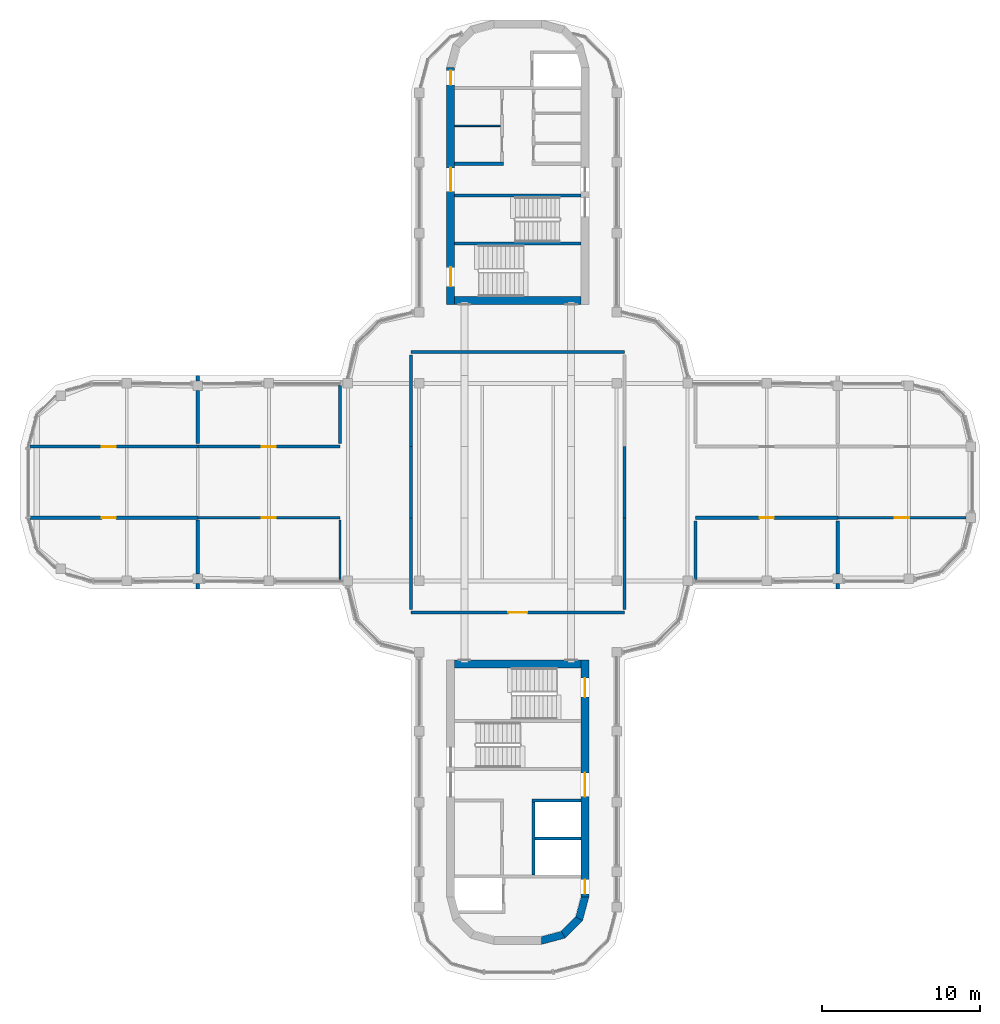
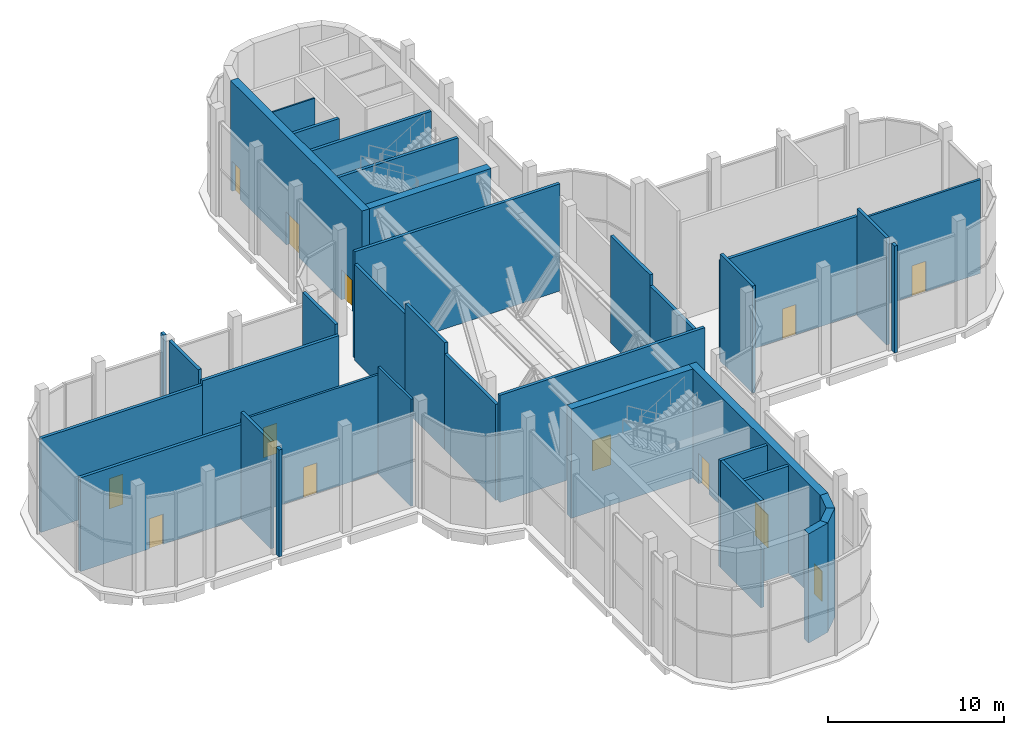
# One storey, part 11 of 15: 36 walls, 13 doors, 13 openings.
"""IFC4 building model written with IfcOpenShell, lengths in metres."""

from ifc_helpers import new_model, si_unit, direction, frame, frame_2d, origin, place, context, subcontext, project, spatial, polyline, rectangle, outline, extrude, material, layer, layer_set, type_object, element, fill, save


model = new_model("IFC4")

# Units and contexts
model_context = context("Model", 3, precision=1e-05, world=origin(), true_north=direction((0.0, 1.0)))
body_context = subcontext(model_context, "Body", "Model", "MODEL_VIEW")
ifc_project = project(units=[si_unit("LENGTHUNIT", "METRE"), si_unit("AREAUNIT", "SQUARE_METRE"), si_unit("VOLUMEUNIT", "CUBIC_METRE"), si_unit("PLANEANGLEUNIT", "RADIAN"), si_unit("MASSUNIT", "GRAM", prefix="KILO")], contexts=[model_context])

# Site, building, storey
site_placement = place(None, origin())
site = spatial("IfcSite", under=ifc_project, at=site_placement, CompositionType="ELEMENT")
building_placement = place(site_placement, origin())
building = spatial("IfcBuilding", under=site, at=building_placement, Name="Zarbagh Exchange Tower", CompositionType="ELEMENT")
storey_placement = place(building_placement, frame((0.0, 0.0, 284.0)))
storey = spatial("IfcBuildingStorey", under=building, at=storey_placement, Name="L70", CompositionType="ELEMENT", Elevation=284.0)

# Wall, opening, door
ifc_material_1 = material(Name="Plasterboard partition")
ifc_layer_1 = layer(ifc_material_1, 0.14990234375)
ifc_layer_set_1 = layer_set([ifc_layer_1], Name="Board partition 150")
wall_type_1 = type_object("IfcWallType", Name="Board partition 150", PredefinedType="PARTITIONING", material=ifc_layer_set_1)
wall_1_placement = place(storey_placement, frame((28.3701171875, -2.25, 0.0), z_axis=(0.0, 0.0, 1.0), x_axis=(-1.0, 0.0, 0.0)))
wall_1 = element("IfcWall", 1, at=wall_1_placement, inside=storey, type_object=wall_type_1, Name="WL-L70-W012", PredefinedType="PARTITIONING", context=body_context, shape_type="SweptSolid", body=[
    extrude(rectangle(XDim=8.1201171875, YDim=0.14990234375, at=frame_2d((4.06005859375, 0.0))), origin(), (0.0, 0.0, 1.0), 6.530029296875),
])
opening_1_placement = place(wall_1_placement, frame((3.610107421875, 0.0, 0.0)))
opening_1 = element("IfcOpeningElement", 2, at=opening_1_placement, cuts=wall_1, Name="Opening D41", PredefinedType="OPENING", context=body_context, shape_type="SweptSolid", body=[
    extrude(rectangle(XDim=0.89990234375, YDim=2.10009765625, at=frame_2d((0.449951171875, 1.050048828125))), frame((0.0, 0.0849609375, 0.0), z_axis=(0.0, -1.0, 0.0), x_axis=(1.0, 0.0, 0.0)), (0.0, 0.0, 1.0), 0.169921875),
])
ifc_material_2 = material(Name="Timber door leaf", Category="wood")
door_type_1 = type_object("IfcDoorType", Name="Door single 900x2100", OperationType="SINGLE_SWING_LEFT", PredefinedType="DOOR", material=ifc_material_2)
door_1_placement = place(opening_1_placement, origin())
door_1 = element("IfcDoor", 3, at=door_1_placement, inside=storey, type_object=door_type_1, Name="D05", OperationType="SINGLE_SWING_LEFT", OverallHeight=2.10009765625, OverallWidth=0.89990234375, PredefinedType="DOOR", context=body_context, shape_type="SweptSolid", body=[
    extrude(rectangle(XDim=0.89990234375, YDim=2.10009765625, at=frame_2d((0.449951171875, 1.050048828125))), frame((0.0, 0.02490234375, 0.0), z_axis=(0.0, -1.0, 0.0), x_axis=(1.0, 0.0, 0.0)), (0.0, 0.0, 1.0), 0.050048828125),
])
fill(opening_1, door_1)

wall_2_placement = place(storey_placement, frame((-11.25, -2.25, 0.0), z_axis=(0.0, 0.0, 1.0), x_axis=(-1.0, 0.0, 0.0)))
wall_2 = element("IfcWall", 4, at=wall_2_placement, inside=storey, type_object=wall_type_1, Name="WL-L70-W014", PredefinedType="PARTITIONING", context=body_context, shape_type="SweptSolid", body=[
    extrude(rectangle(XDim=9.0, YDim=0.14990234375, at=frame_2d((4.5, 0.0))), origin(), (0.0, 0.0, 1.0), 6.827880859375),
])
opening_2_placement = place(wall_2_placement, frame((4.050048828125, 0.0, 0.0)))
opening_2 = element("IfcOpeningElement", 5, at=opening_2_placement, cuts=wall_2, Name="Opening D07", PredefinedType="OPENING", context=body_context, shape_type="SweptSolid", body=[
    extrude(rectangle(XDim=0.89990234375, YDim=2.10009765625, at=frame_2d((0.449951171875, 1.050048828125))), frame((0.0, 0.0849609375, 0.0), z_axis=(0.0, -1.0, 0.0), x_axis=(1.0, 0.0, 0.0)), (0.0, 0.0, 1.0), 0.169921875),
])
door_2_placement = place(opening_2_placement, origin())
door_2 = element("IfcDoor", 6, at=door_2_placement, inside=storey, type_object=door_type_1, Name="D07", OperationType="SINGLE_SWING_LEFT", OverallHeight=2.10009765625, OverallWidth=0.89990234375, PredefinedType="DOOR", context=body_context, shape_type="SweptSolid", body=[
    extrude(rectangle(XDim=0.89990234375, YDim=2.10009765625, at=frame_2d((0.449951171875, 1.050048828125))), frame((0.0, 0.02490234375, 0.0), z_axis=(0.0, -1.0, 0.0), x_axis=(1.0, 0.0, 0.0)), (0.0, 0.0, 1.0), 0.050048828125),
])
fill(opening_2, door_2)

# Walls
wall_3_placement = place(storey_placement, frame((-11.25, -2.39990234375, 0.0), z_axis=(0.0, 0.0, 1.0), x_axis=(0.0, -1.0, 0.0)))
element("IfcWall", 7, at=wall_3_placement, inside=storey, type_object=wall_type_1, Name="WL-L70-W028", PredefinedType="PARTITIONING", context=body_context, shape_type="SweptSolid", body=[
    extrude(rectangle(XDim=3.75, YDim=0.14990234375, at=frame_2d((1.875, 0.0))), origin(), (0.0, 0.0, 1.0), 7.449951171875),
])
ifc_material_3 = material(Name="Dense blockwork", Category="masonry")
ifc_layer_2 = layer(ifc_material_3, 0.10009765625)
ifc_layer_set_2 = layer_set([ifc_layer_2], Name="Core partition 100 mm blockwork")
wall_type_2 = type_object("IfcWallType", Name="Core partition 100 mm blockwork", PredefinedType="PARTITIONING", material=ifc_layer_set_2)
wall_4_placement = place(storey_placement, frame((-4.0, 22.550048828125, 0.0), z_axis=(0.0, 0.0, 1.0), x_axis=(1.0, 0.0, 0.0)))
element("IfcWall", 8, at=wall_4_placement, inside=storey, type_object=wall_type_2, Name="North core partition wall CUT-W-580", PredefinedType="PARTITIONING", context=body_context, shape_type="SweptSolid", body=[
    extrude(rectangle(XDim=2.89990234375, YDim=0.10009765625, at=frame_2d((1.449951171875, 0.0))), origin(), (0.0, 0.0, 1.0), 7.449951171875),
])

# Wall, opening, door
ifc_material_4 = material(Name="Concrete block partition", Category="concrete")
ifc_layer_3 = layer(ifc_material_4, 0.199951171875)
ifc_layer_set_3 = layer_set([ifc_layer_3], Name="Fire-rated block partition 200 EI 60")
wall_type_3 = type_object("IfcWallType", Name="Fire-rated block partition 200 EI 60", PredefinedType="PARTITIONING", material=ifc_layer_set_3)
wall_5_placement = place(storey_placement, frame((-6.75, -8.25, 0.0), z_axis=(0.0, 0.0, 1.0), x_axis=(1.0, 0.0, 0.0)))
wall_5 = element("IfcWall", 9, at=wall_5_placement, inside=storey, type_object=wall_type_3, Name="WL-L70-W001", PredefinedType="PARTITIONING", context=body_context, shape_type="SweptSolid", body=[
    extrude(rectangle(XDim=13.5, YDim=0.199951171875, at=frame_2d((6.75, 0.0))), origin(), (0.0, 0.0, 1.0), 7.449951171875),
])
opening_3_placement = place(wall_5_placement, frame((6.14990234375, 0.0, 0.0)))
opening_3 = element("IfcOpeningElement", 10, at=opening_3_placement, cuts=wall_5, Name="Opening D31", PredefinedType="OPENING", context=body_context, shape_type="SweptSolid", body=[
    extrude(rectangle(XDim=1.199951171875, YDim=2.10009765625, at=frame_2d((0.60009765625, 1.050048828125))), frame((0.0, 0.10986328125, 0.0), z_axis=(0.0, -1.0, 0.0), x_axis=(1.0, 0.0, 0.0)), (0.0, 0.0, 1.0), 0.219970703125),
])
ifc_material_5 = material(Name="Steel door set", Category="steel")
door_type_2 = type_object("IfcDoorType", Name="Door single 1200x2100 EI 60", OperationType="SINGLE_SWING_LEFT", PredefinedType="DOOR", material=ifc_material_5)
door_3_placement = place(opening_3_placement, origin())
door_3 = element("IfcDoor", 11, at=door_3_placement, inside=storey, type_object=door_type_2, Name="D01", OperationType="SINGLE_SWING_LEFT", OverallHeight=2.10009765625, OverallWidth=1.199951171875, PredefinedType="DOOR", context=body_context, shape_type="SweptSolid", body=[
    extrude(rectangle(XDim=1.199951171875, YDim=2.10009765625, at=frame_2d((0.60009765625, 1.050048828125))), frame((0.0, 0.02490234375, 0.0), z_axis=(0.0, -1.0, 0.0), x_axis=(1.0, 0.0, 0.0)), (0.0, 0.0, 1.0), 0.050048828125),
])
fill(opening_3, door_3)

# Walls
wall_6_placement = place(storey_placement, frame((-6.75, 8.25, 0.0), z_axis=(0.0, 0.0, 1.0), x_axis=(1.0, 0.0, 0.0)))
element("IfcWall", 12, at=wall_6_placement, inside=storey, type_object=wall_type_3, Name="WL-L70-W002", PredefinedType="PARTITIONING", context=body_context, shape_type="SweptSolid", body=[
    extrude(rectangle(XDim=13.5, YDim=0.199951171875, at=frame_2d((6.75, 0.0))), origin(), (0.0, 0.0, 1.0), 7.449951171875),
])
for number, where, z_axis, x_axis, name in (
    (13, (6.75, 2.25, 0.0), (0.0, 0.0, 1.0), (0.0, -1.0, 0.0), "WL-L70-W003"),
    (14, (-6.75, -2.25, 0.0), (0.0, 0.0, 1.0), (0.0, 1.0, 0.0), "WL-L70-W004"),
):
    element("IfcWall", number, at=place(storey_placement, frame(where, z_axis=z_axis, x_axis=x_axis)), inside=storey, type_object=wall_type_3, Name=name, PredefinedType="PARTITIONING", context=body_context, shape_type="SweptSolid", body=[
        extrude(rectangle(XDim=4.5, YDim=0.199951171875, at=frame_2d((2.25, 0.0))), origin(), (0.0, 0.0, 1.0), 7.449951171875),
    ])
for number, where, z_axis, x_axis, name in (
    (15, (-6.75, -8.050048828125, 0.0), (0.0, 0.0, 1.0), (0.0, 1.0, 0.0), "WL-L70-W005"),
    (16, (6.75, -2.25, 0.0), (0.0, 0.0, 1.0), (0.0, -1.0, 0.0), "WL-L70-W006"),
    (17, (-6.75, 2.25, 0.0), (0.0, 0.0, 1.0), (0.0, 1.0, 0.0), "WL-L70-W007"),
):
    element("IfcWall", number, at=place(storey_placement, frame(where, z_axis=z_axis, x_axis=x_axis)), inside=storey, type_object=wall_type_3, Name=name, PredefinedType="PARTITIONING", context=body_context, shape_type="SweptSolid", body=[
        extrude(rectangle(XDim=5.800048828125, YDim=0.199951171875, at=frame_2d((2.89990234375, 0.0))), origin(), (0.0, 0.0, 1.0), 6.680908203125),
    ])

# Wall, opening, door
wall_7_placement = place(storey_placement, frame((20.25, -2.25, 0.0), z_axis=(0.0, 0.0, 1.0), x_axis=(-1.0, 0.0, 0.0)))
wall_7 = element("IfcWall", 18, at=wall_7_placement, inside=storey, type_object=wall_type_3, Name="WL-L70-W010", PredefinedType="PARTITIONING", context=body_context, shape_type="SweptSolid", body=[
    extrude(rectangle(XDim=9.0, YDim=0.199951171875, at=frame_2d((4.5, 0.0))), origin(), (0.0, 0.0, 1.0), 6.827880859375),
])
opening_4_placement = place(wall_7_placement, frame((4.050048828125, 0.0, 0.0)))
opening_4 = element("IfcOpeningElement", 19, at=opening_4_placement, cuts=wall_7, Name="Opening D03", PredefinedType="OPENING", context=body_context, shape_type="SweptSolid", body=[
    extrude(rectangle(XDim=0.89990234375, YDim=2.10009765625, at=frame_2d((0.449951171875, 1.050048828125))), frame((0.0, 0.10986328125, 0.0), z_axis=(0.0, -1.0, 0.0), x_axis=(1.0, 0.0, 0.0)), (0.0, 0.0, 1.0), 0.219970703125),
])
door_type_3 = type_object("IfcDoorType", Name="Door single 900x2100 EI 60", OperationType="SINGLE_SWING_LEFT", PredefinedType="DOOR", material=ifc_material_5)
door_4_placement = place(opening_4_placement, origin())
door_4 = element("IfcDoor", 20, at=door_4_placement, inside=storey, type_object=door_type_3, Name="D03", OperationType="SINGLE_SWING_LEFT", OverallHeight=2.10009765625, OverallWidth=0.89990234375, PredefinedType="DOOR", context=body_context, shape_type="SweptSolid", body=[
    extrude(rectangle(XDim=0.89990234375, YDim=2.10009765625, at=frame_2d((0.449951171875, 1.050048828125))), frame((0.0, 0.02490234375, 0.0), z_axis=(0.0, -1.0, 0.0), x_axis=(1.0, 0.0, 0.0)), (0.0, 0.0, 1.0), 0.050048828125),
])
fill(opening_4, door_4)

wall_8_placement = place(storey_placement, frame((-20.25, 2.25, 0.0), z_axis=(0.0, 0.0, 1.0), x_axis=(1.0, 0.0, 0.0)))
wall_8 = element("IfcWall", 21, at=wall_8_placement, inside=storey, type_object=wall_type_3, Name="WL-L70-W013", PredefinedType="PARTITIONING", context=body_context, shape_type="SweptSolid", body=[
    extrude(rectangle(XDim=9.0, YDim=0.199951171875, at=frame_2d((4.5, 0.0))), origin(), (0.0, 0.0, 1.0), 6.827880859375),
])
opening_5_placement = place(wall_8_placement, frame((4.050048828125, 0.0, 0.0)))
opening_5 = element("IfcOpeningElement", 22, at=opening_5_placement, cuts=wall_8, Name="Opening D06", PredefinedType="OPENING", context=body_context, shape_type="SweptSolid", body=[
    extrude(rectangle(XDim=0.89990234375, YDim=2.10009765625, at=frame_2d((0.449951171875, 1.050048828125))), frame((0.0, 0.10986328125, 0.0), z_axis=(0.0, -1.0, 0.0), x_axis=(1.0, 0.0, 0.0)), (0.0, 0.0, 1.0), 0.219970703125),
])
door_5_placement = place(opening_5_placement, origin())
door_5 = element("IfcDoor", 23, at=door_5_placement, inside=storey, type_object=door_type_3, Name="D06", OperationType="SINGLE_SWING_LEFT", OverallHeight=2.10009765625, OverallWidth=0.89990234375, PredefinedType="DOOR", context=body_context, shape_type="SweptSolid", body=[
    extrude(rectangle(XDim=0.89990234375, YDim=2.10009765625, at=frame_2d((0.449951171875, 1.050048828125))), frame((0.0, 0.02490234375, 0.0), z_axis=(0.0, -1.0, 0.0), x_axis=(1.0, 0.0, 0.0)), (0.0, 0.0, 1.0), 0.050048828125),
])
fill(opening_5, door_5)

wall_9_placement = place(storey_placement, frame((-30.8798828125, 2.25, 0.0), z_axis=(0.0, 0.0, 1.0), x_axis=(1.0, 0.0, 0.0)))
wall_9 = element("IfcWall", 24, at=wall_9_placement, inside=storey, type_object=wall_type_3, Name="WL-L70-W015", PredefinedType="PARTITIONING", context=body_context, shape_type="SweptSolid", body=[
    extrude(rectangle(XDim=10.6298828125, YDim=0.199951171875, at=frame_2d((5.31494140625, 0.0))), origin(), (0.0, 0.0, 1.0), 6.530029296875),
])
opening_6_placement = place(wall_9_placement, frame((4.554931640625, 0.0, 0.0)))
opening_6 = element("IfcOpeningElement", 25, at=opening_6_placement, cuts=wall_9, Name="Opening D08", PredefinedType="OPENING", context=body_context, shape_type="SweptSolid", body=[
    extrude(rectangle(XDim=0.89990234375, YDim=2.10009765625, at=frame_2d((0.449951171875, 1.050048828125))), frame((0.0, 0.10986328125, 0.0), z_axis=(0.0, -1.0, 0.0), x_axis=(1.0, 0.0, 0.0)), (0.0, 0.0, 1.0), 0.219970703125),
])
door_6_placement = place(opening_6_placement, origin())
door_6 = element("IfcDoor", 26, at=door_6_placement, inside=storey, type_object=door_type_3, Name="D08", OperationType="SINGLE_SWING_LEFT", OverallHeight=2.10009765625, OverallWidth=0.89990234375, PredefinedType="DOOR", context=body_context, shape_type="SweptSolid", body=[
    extrude(rectangle(XDim=0.89990234375, YDim=2.10009765625, at=frame_2d((0.449951171875, 1.050048828125))), frame((0.0, 0.02490234375, 0.0), z_axis=(0.0, -1.0, 0.0), x_axis=(1.0, 0.0, 0.0)), (0.0, 0.0, 1.0), 0.050048828125),
])
fill(opening_6, door_6)

wall_10_placement = place(storey_placement, frame((-20.25, -2.25, 0.0), z_axis=(0.0, 0.0, 1.0), x_axis=(-1.0, 0.0, 0.0)))
wall_10 = element("IfcWall", 27, at=wall_10_placement, inside=storey, type_object=wall_type_3, Name="WL-L70-W016", PredefinedType="PARTITIONING", context=body_context, shape_type="SweptSolid", body=[
    extrude(rectangle(XDim=10.6298828125, YDim=0.199951171875, at=frame_2d((5.31494140625, 0.0))), origin(), (0.0, 0.0, 1.0), 6.530029296875),
])
opening_7_placement = place(wall_10_placement, frame((5.175048828125, 0.0, 0.0)))
opening_7 = element("IfcOpeningElement", 28, at=opening_7_placement, cuts=wall_10, Name="Opening D52", PredefinedType="OPENING", context=body_context, shape_type="SweptSolid", body=[
    extrude(rectangle(XDim=0.89990234375, YDim=2.10009765625, at=frame_2d((0.449951171875, 1.050048828125))), frame((0.0, 0.10986328125, 0.0), z_axis=(0.0, -1.0, 0.0), x_axis=(1.0, 0.0, 0.0)), (0.0, 0.0, 1.0), 0.219970703125),
])
door_7_placement = place(opening_7_placement, origin())
door_7 = element("IfcDoor", 29, at=door_7_placement, inside=storey, type_object=door_type_3, Name="D09", OperationType="SINGLE_SWING_LEFT", OverallHeight=2.10009765625, OverallWidth=0.89990234375, PredefinedType="DOOR", context=body_context, shape_type="SweptSolid", body=[
    extrude(rectangle(XDim=0.89990234375, YDim=2.10009765625, at=frame_2d((0.449951171875, 1.050048828125))), frame((0.0, 0.02490234375, 0.0), z_axis=(0.0, -1.0, 0.0), x_axis=(1.0, 0.0, 0.0)), (0.0, 0.0, 1.0), 0.050048828125),
])
fill(opening_7, door_7)

# Walls
wall_11_placement = place(storey_placement, frame((20.25, -2.449951171875, 0.0), z_axis=(0.0, 0.0, 1.0), x_axis=(0.0, -1.0, 0.0)))
element("IfcWall", 30, at=wall_11_placement, inside=storey, type_object=wall_type_3, Name="WL-L70-W020", PredefinedType="PARTITIONING", context=body_context, shape_type="SweptSolid", body=[
    extrude(rectangle(XDim=3.360107421875, YDim=0.199951171875, at=frame_2d((1.68017578125, 0.0))), origin(), (0.0, 0.0, 1.0), 7.449951171875),
])
wall_12_placement = place(storey_placement, frame((20.25, -6.409912109375, 0.0), z_axis=(0.0, 0.0, 1.0), x_axis=(0.0, -1.0, 0.0)))
element("IfcWall", 31, at=wall_12_placement, inside=storey, type_object=wall_type_3, Name="WL-L70-W021", PredefinedType="PARTITIONING", context=body_context, shape_type="SweptSolid", body=[
    extrude(rectangle(XDim=0.340087890625, YDim=0.199951171875, at=frame_2d((0.169921875, 0.0))), origin(), (0.0, 0.0, 1.0), 7.449951171875),
])
wall_13_placement = place(storey_placement, frame((11.25, -6.14990234375, 0.0), z_axis=(0.0, 0.0, 1.0), x_axis=(0.0, 1.0, 0.0)))
element("IfcWall", 32, at=wall_13_placement, inside=storey, type_object=wall_type_3, Name="WL-L70-W022", PredefinedType="PARTITIONING", context=body_context, shape_type="SweptSolid", body=[
    extrude(rectangle(XDim=3.699951171875, YDim=0.199951171875, at=frame_2d((1.85009765625, 0.0))), origin(), (0.0, 0.0, 1.0), 7.449951171875),
])
wall_14_placement = place(storey_placement, frame((-20.25, 2.449951171875, 0.0), z_axis=(0.0, 0.0, 1.0), x_axis=(0.0, 1.0, 0.0)))
element("IfcWall", 33, at=wall_14_placement, inside=storey, type_object=wall_type_3, Name="WL-L70-W023", PredefinedType="PARTITIONING", context=body_context, shape_type="SweptSolid", body=[
    extrude(rectangle(XDim=3.360107421875, YDim=0.199951171875, at=frame_2d((1.68017578125, 0.0))), origin(), (0.0, 0.0, 1.0), 7.449951171875),
])
wall_15_placement = place(storey_placement, frame((-20.25, 6.409912109375, 0.0), z_axis=(0.0, 0.0, 1.0), x_axis=(0.0, 1.0, 0.0)))
element("IfcWall", 34, at=wall_15_placement, inside=storey, type_object=wall_type_3, Name="WL-L70-W024", PredefinedType="PARTITIONING", context=body_context, shape_type="SweptSolid", body=[
    extrude(rectangle(XDim=0.340087890625, YDim=0.199951171875, at=frame_2d((0.169921875, 0.0))), origin(), (0.0, 0.0, 1.0), 7.449951171875),
])
wall_16_placement = place(storey_placement, frame((-11.25, 6.14990234375, 0.0), z_axis=(0.0, 0.0, 1.0), x_axis=(0.0, -1.0, 0.0)))
element("IfcWall", 35, at=wall_16_placement, inside=storey, type_object=wall_type_3, Name="WL-L70-W025", PredefinedType="PARTITIONING", context=body_context, shape_type="SweptSolid", body=[
    extrude(rectangle(XDim=3.699951171875, YDim=0.199951171875, at=frame_2d((1.85009765625, 0.0))), origin(), (0.0, 0.0, 1.0), 7.449951171875),
])
wall_17_placement = place(storey_placement, frame((-20.25, -6.75, 0.0), z_axis=(0.0, 0.0, 1.0), x_axis=(0.0, 1.0, 0.0)))
element("IfcWall", 36, at=wall_17_placement, inside=storey, type_object=wall_type_3, Name="WL-L70-W026", PredefinedType="PARTITIONING", context=body_context, shape_type="SweptSolid", body=[
    extrude(rectangle(XDim=0.340087890625, YDim=0.199951171875, at=frame_2d((0.169921875, 0.0))), origin(), (0.0, 0.0, 1.0), 7.449951171875),
])
wall_18_placement = place(storey_placement, frame((-20.25, -5.81005859375, 0.0), z_axis=(0.0, 0.0, 1.0), x_axis=(0.0, 1.0, 0.0)))
element("IfcWall", 37, at=wall_18_placement, inside=storey, type_object=wall_type_3, Name="WL-L70-W027", PredefinedType="PARTITIONING", context=body_context, shape_type="SweptSolid", body=[
    extrude(rectangle(XDim=3.41015625, YDim=0.199951171875, at=frame_2d((1.705078125, 0.0))), origin(), (0.0, 0.0, 1.0), 7.449951171875),
])
ifc_material_6 = material(Name="Concrete C40/50", Category="concrete")
ifc_layer_4 = layer(ifc_material_6, 0.5)
ifc_layer_set_4 = layer_set([ifc_layer_4], Name="RC core corner wall 500 C40/50")
wall_type_4 = type_object("IfcWallType", Name="RC core corner wall 500 C40/50", PredefinedType="SHEAR", material=ifc_layer_set_4)
wall_19_placement = place(storey_placement, origin())
element("IfcWall", 38, at=wall_19_placement, inside=storey, type_object=wall_type_4, Name="CW10 core S corner E", PredefinedType="SHEAR", context=body_context, shape_type="SweptSolid", body=[
    extrude(outline(polyline([(4.5, -26.25), (4.09814453125, -27.75), (3.6650390625, -27.5), (4.0, -26.25), (4.5, -26.25)])), origin(), (0.0, 0.0, 1.0), 7.60009765625),
])
wall_20_placement = place(storey_placement, origin())
element("IfcWall", 39, at=wall_20_placement, inside=storey, type_object=wall_type_4, Name="CW10 core S corner E", PredefinedType="SHEAR", context=body_context, shape_type="SweptSolid", body=[
    extrude(outline(polyline([(4.09814453125, -27.75), (3.0, -28.84814453125), (2.75, -28.4150390625), (3.6650390625, -27.5), (4.09814453125, -27.75)])), origin(), (0.0, 0.0, 1.0), 7.60009765625),
])
wall_21_placement = place(storey_placement, origin())
element("IfcWall", 40, at=wall_21_placement, inside=storey, type_object=wall_type_4, Name="CW10 core S corner E", PredefinedType="SHEAR", context=body_context, shape_type="SweptSolid", body=[
    extrude(outline(polyline([(3.0, -28.84814453125), (1.5, -29.25), (1.5, -28.75), (2.75, -28.4150390625), (3.0, -28.84814453125)])), origin(), (0.0, 0.0, 1.0), 7.60009765625),
])

# Wall, openings, doors
ifc_layer_5 = layer(ifc_material_6, 0.5)
ifc_layer_set_5 = layer_set([ifc_layer_5], Name="RC core wall 500 C40/50")
wall_type_5 = type_object("IfcWallType", Name="RC core wall 500 C40/50", PredefinedType="SHEAR", material=ifc_layer_set_5)
wall_22_placement = place(storey_placement, frame((-4.25, 11.25, 0.0), z_axis=(0.0, 0.0, 1.0), x_axis=(0.0, 1.0, 0.0)))
wall_22 = element("IfcWall", 41, at=wall_22_placement, inside=storey, type_object=wall_type_5, Name="CW9 core N W", PredefinedType="SHEAR", context=body_context, shape_type="SweptSolid", body=[
    extrude(rectangle(XDim=15.0, YDim=0.5, at=frame_2d((7.5, 0.0))), origin(), (0.0, 0.0, 1.0), 7.60009765625),
])
opening_8_placement = place(wall_22_placement, frame((7.14990234375, 0.0, 0.0)))
opening_8 = element("IfcOpeningElement", 42, at=opening_8_placement, cuts=wall_22, Name="Opening CD1-1500", PredefinedType="OPENING", context=body_context, shape_type="SweptSolid", body=[
    extrude(rectangle(XDim=1.5, YDim=2.300048828125, at=frame_2d((0.75, 1.14990234375))), frame((0.0, 0.260009765625, 0.0), z_axis=(0.0, -1.0, 0.0), x_axis=(1.0, 0.0, 0.0)), (0.0, 0.0, 1.0), 0.52001953125),
])
opening_9_placement = place(wall_22_placement, frame((13.89990234375, 0.0, 0.0)))
opening_9 = element("IfcOpeningElement", 43, at=opening_9_placement, cuts=wall_22, Name="Opening CD2-900", PredefinedType="OPENING", context=body_context, shape_type="SweptSolid", body=[
    extrude(rectangle(XDim=0.89990234375, YDim=2.10009765625, at=frame_2d((0.449951171875, 1.050048828125))), frame((0.0, 0.260009765625, 0.0), z_axis=(0.0, -1.0, 0.0), x_axis=(1.0, 0.0, 0.0)), (0.0, 0.0, 1.0), 0.52001953125),
])
opening_10_placement = place(wall_22_placement, frame((1.14990234375, 0.0, 0.0)))
opening_10 = element("IfcOpeningElement", 44, at=opening_10_placement, cuts=wall_22, Name="Opening SD1-1200", PredefinedType="OPENING", context=body_context, shape_type="SweptSolid", body=[
    extrude(rectangle(XDim=1.199951171875, YDim=2.10009765625, at=frame_2d((0.60009765625, 1.050048828125))), frame((0.0, 0.260009765625, 0.0), z_axis=(0.0, -1.0, 0.0), x_axis=(1.0, 0.0, 0.0)), (0.0, 0.0, 1.0), 0.52001953125),
])
ifc_material_7 = material(Name="Steel", Category="steel")
door_type_4 = type_object("IfcDoorType", Name="Exit stair door 1200 x 2100", OperationType="NOTDEFINED", PredefinedType="DOOR", material=ifc_material_7)
door_8_placement = place(opening_10_placement, origin())
door_8 = element("IfcDoor", 45, at=door_8_placement, inside=storey, type_object=door_type_4, Name="North core stair door ST2", OperationType="SINGLE_SWING_LEFT", OverallHeight=2.10009765625, OverallWidth=1.199951171875, PredefinedType="DOOR", context=body_context, shape_type="SweptSolid", body=[
    extrude(rectangle(XDim=1.199951171875, YDim=2.10009765625, at=frame_2d((0.60009765625, 1.050048828125))), frame((0.0, 0.02490234375, 0.0), z_axis=(0.0, -1.0, 0.0), x_axis=(1.0, 0.0, 0.0)), (0.0, 0.0, 1.0), 0.050048828125),
])
fill(opening_10, door_8)
door_type_5 = type_object("IfcDoorType", Name="Firefighting lobby door 900 x 2100", OperationType="NOTDEFINED", PredefinedType="DOOR", material=ifc_material_7)
door_9_placement = place(opening_9_placement, origin())
door_9 = element("IfcDoor", 46, at=door_9_placement, inside=storey, type_object=door_type_5, Name="North core firefighting lobby door FF-W", OperationType="SINGLE_SWING_RIGHT", OverallHeight=2.10009765625, OverallWidth=0.89990234375, PredefinedType="DOOR", context=body_context, shape_type="SweptSolid", body=[
    extrude(rectangle(XDim=0.89990234375, YDim=2.10009765625, at=frame_2d((0.449951171875, 1.050048828125))), frame((0.0, 0.02490234375, 0.0), z_axis=(0.0, -1.0, 0.0), x_axis=(1.0, 0.0, 0.0)), (0.0, 0.0, 1.0), 0.050048828125),
])
fill(opening_9, door_9)
door_type_6 = type_object("IfcDoorType", Name="Lift lobby double door 1500 x 2300", OperationType="NOTDEFINED", PredefinedType="DOOR", material=ifc_material_7)
door_10_placement = place(opening_8_placement, origin())
door_10 = element("IfcDoor", 47, at=door_10_placement, inside=storey, type_object=door_type_6, Name="North core lift lobby door LOBBY-W", OperationType="DOUBLE_DOOR_SINGLE_SWING", OverallHeight=2.300048828125, OverallWidth=1.5, PredefinedType="DOOR", context=body_context, shape_type="SweptSolid", body=[
    extrude(rectangle(XDim=1.5, YDim=2.300048828125, at=frame_2d((0.75, 1.14990234375))), frame((0.0, 0.02490234375, 0.0), z_axis=(0.0, -1.0, 0.0), x_axis=(1.0, 0.0, 0.0)), (0.0, 0.0, 1.0), 0.050048828125),
])
fill(opening_8, door_10)

# Wall
wall_23_placement = place(storey_placement, frame((-4.0, 11.5, 0.0), z_axis=(0.0, 0.0, 1.0), x_axis=(1.0, 0.0, 0.0)))
element("IfcWall", 48, at=wall_23_placement, inside=storey, type_object=wall_type_5, Name="CW9 core N inner end", PredefinedType="SHEAR", context=body_context, shape_type="SweptSolid", body=[
    extrude(rectangle(XDim=8.0, YDim=0.5, at=frame_2d((4.0, 0.0))), origin(), (0.0, 0.0, 1.0), 7.60009765625),
])

# Wall, openings, doors
wall_24_placement = place(storey_placement, frame((4.25, -11.25, 0.0), z_axis=(0.0, 0.0, 1.0), x_axis=(0.0, -1.0, 0.0)))
wall_24 = element("IfcWall", 49, at=wall_24_placement, inside=storey, type_object=wall_type_5, Name="CW9 core S E", PredefinedType="SHEAR", context=body_context, shape_type="SweptSolid", body=[
    extrude(rectangle(XDim=15.0, YDim=0.5, at=frame_2d((7.5, 0.0))), origin(), (0.0, 0.0, 1.0), 7.60009765625),
])
opening_11_placement = place(wall_24_placement, frame((7.14990234375, 0.0, 0.0)))
opening_11 = element("IfcOpeningElement", 50, at=opening_11_placement, cuts=wall_24, Name="Opening CD1-1500", PredefinedType="OPENING", context=body_context, shape_type="SweptSolid", body=[
    extrude(rectangle(XDim=1.5, YDim=2.300048828125, at=frame_2d((0.75, 1.14990234375))), frame((0.0, 0.260009765625, 0.0), z_axis=(0.0, -1.0, 0.0), x_axis=(1.0, 0.0, 0.0)), (0.0, 0.0, 1.0), 0.52001953125),
])
opening_12_placement = place(wall_24_placement, frame((13.89990234375, 0.0, 0.0)))
opening_12 = element("IfcOpeningElement", 51, at=opening_12_placement, cuts=wall_24, Name="Opening CD2-900", PredefinedType="OPENING", context=body_context, shape_type="SweptSolid", body=[
    extrude(rectangle(XDim=0.89990234375, YDim=2.10009765625, at=frame_2d((0.449951171875, 1.050048828125))), frame((0.0, 0.260009765625, 0.0), z_axis=(0.0, -1.0, 0.0), x_axis=(1.0, 0.0, 0.0)), (0.0, 0.0, 1.0), 0.52001953125),
])
opening_13_placement = place(wall_24_placement, frame((1.14990234375, 0.0, 0.0)))
opening_13 = element("IfcOpeningElement", 52, at=opening_13_placement, cuts=wall_24, Name="Opening SD1-1200", PredefinedType="OPENING", context=body_context, shape_type="SweptSolid", body=[
    extrude(rectangle(XDim=1.199951171875, YDim=2.10009765625, at=frame_2d((0.60009765625, 1.050048828125))), frame((0.0, 0.260009765625, 0.0), z_axis=(0.0, -1.0, 0.0), x_axis=(1.0, 0.0, 0.0)), (0.0, 0.0, 1.0), 0.52001953125),
])
door_11_placement = place(opening_13_placement, origin())
door_11 = element("IfcDoor", 53, at=door_11_placement, inside=storey, type_object=door_type_4, Name="South core stair door ST2", OperationType="SINGLE_SWING_LEFT", OverallHeight=2.10009765625, OverallWidth=1.199951171875, PredefinedType="DOOR", context=body_context, shape_type="SweptSolid", body=[
    extrude(rectangle(XDim=1.199951171875, YDim=2.10009765625, at=frame_2d((0.60009765625, 1.050048828125))), frame((0.0, 0.02490234375, 0.0), z_axis=(0.0, -1.0, 0.0), x_axis=(1.0, 0.0, 0.0)), (0.0, 0.0, 1.0), 0.050048828125),
])
fill(opening_13, door_11)
door_12_placement = place(opening_12_placement, origin())
door_12 = element("IfcDoor", 54, at=door_12_placement, inside=storey, type_object=door_type_5, Name="South core firefighting lobby door FF-W", OperationType="SINGLE_SWING_LEFT", OverallHeight=2.10009765625, OverallWidth=0.89990234375, PredefinedType="DOOR", context=body_context, shape_type="SweptSolid", body=[
    extrude(rectangle(XDim=0.89990234375, YDim=2.10009765625, at=frame_2d((0.449951171875, 1.050048828125))), frame((0.0, 0.02490234375, 0.0), z_axis=(0.0, -1.0, 0.0), x_axis=(1.0, 0.0, 0.0)), (0.0, 0.0, 1.0), 0.050048828125),
])
fill(opening_12, door_12)
door_13_placement = place(opening_11_placement, origin())
door_13 = element("IfcDoor", 55, at=door_13_placement, inside=storey, type_object=door_type_6, Name="South core lift lobby door LOBBY-W", OperationType="DOUBLE_DOOR_SINGLE_SWING", OverallHeight=2.300048828125, OverallWidth=1.5, PredefinedType="DOOR", context=body_context, shape_type="SweptSolid", body=[
    extrude(rectangle(XDim=1.5, YDim=2.300048828125, at=frame_2d((0.75, 1.14990234375))), frame((0.0, 0.02490234375, 0.0), z_axis=(0.0, -1.0, 0.0), x_axis=(1.0, 0.0, 0.0)), (0.0, 0.0, 1.0), 0.050048828125),
])
fill(opening_11, door_13)

# Walls
wall_25_placement = place(storey_placement, frame((-4.0, -11.5, 0.0), z_axis=(0.0, 0.0, 1.0), x_axis=(1.0, 0.0, 0.0)))
element("IfcWall", 56, at=wall_25_placement, inside=storey, type_object=wall_type_5, Name="CW9 core S inner end", PredefinedType="SHEAR", context=body_context, shape_type="SweptSolid", body=[
    extrude(rectangle(XDim=8.0, YDim=0.5, at=frame_2d((4.0, 0.0))), origin(), (0.0, 0.0, 1.0), 7.60009765625),
])
ifc_layer_6 = layer(ifc_material_3, 0.199951171875)
ifc_layer_set_6 = layer_set([ifc_layer_6], Name="Shaft wall 200 mm blockwork")
wall_type_6 = type_object("IfcWallType", Name="Shaft wall 200 mm blockwork", PredefinedType="PARTITIONING", material=ifc_layer_set_6)
for number, where, z_axis, x_axis, name in (
    (57, (-4.0, 20.14990234375, 0.0), (0.0, 0.0, 1.0), (1.0, 0.0, 0.0), "North core shaft wall AB-W"),
    (58, (4.0, -20.14990234375, 0.0), (0.0, 0.0, 1.0), (-1.0, 0.0, 0.0), "South core shaft wall AB-W"),
):
    element("IfcWall", number, at=place(storey_placement, frame(where, z_axis=z_axis, x_axis=x_axis)), inside=storey, type_object=wall_type_6, Name=name, PredefinedType="PARTITIONING", context=body_context, shape_type="SweptSolid", body=[
        extrude(rectangle(XDim=3.10009765625, YDim=0.199951171875, at=frame_2d((1.550048828125, 0.0))), origin(), (0.0, 0.0, 1.0), 7.449951171875),
    ])
wall_26_placement = place(storey_placement, frame((1.0, -24.85009765625, 0.0), z_axis=(0.0, 0.0, 1.0), x_axis=(0.0, 1.0, 0.0)))
element("IfcWall", 59, at=wall_26_placement, inside=storey, type_object=wall_type_6, Name="South core shaft wall LW-W", PredefinedType="PARTITIONING", context=body_context, shape_type="SweptSolid", body=[
    extrude(rectangle(XDim=4.60009765625, YDim=0.199951171875, at=frame_2d((2.300048828125, 0.0))), origin(), (0.0, 0.0, 1.0), 7.449951171875),
])
wall_27_placement = place(storey_placement, frame((4.0, -22.550048828125, 0.0), z_axis=(0.0, 0.0, 1.0), x_axis=(-1.0, 0.0, 0.0)))
element("IfcWall", 60, at=wall_27_placement, inside=storey, type_object=wall_type_6, Name="South core shaft wall TR-W", PredefinedType="PARTITIONING", context=body_context, shape_type="SweptSolid", body=[
    extrude(rectangle(XDim=2.89990234375, YDim=0.199951171875, at=frame_2d((1.449951171875, 0.0))), origin(), (0.0, 0.0, 1.0), 7.449951171875),
])
ifc_layer_7 = layer(ifc_material_6, 0.199951171875)
ifc_layer_set_7 = layer_set([ifc_layer_7], Name="Stair enclosure wall 200 mm RC C40/50")
wall_type_7 = type_object("IfcWallType", Name="Stair enclosure wall 200 mm RC C40/50", PredefinedType="SHEAR", material=ifc_layer_set_7)
for number, where, z_axis, x_axis, name in (
    (61, (-4.0, 18.14990234375, 0.0), (0.0, 0.0, 1.0), (1.0, 0.0, 0.0), "North core stair wall BS"),
    (62, (-4.0, 15.10009765625, 0.0), (0.0, 0.0, 1.0), (1.0, 0.0, 0.0), "North core stair wall ST12"),
):
    element("IfcWall", number, at=place(storey_placement, frame(where, z_axis=z_axis, x_axis=x_axis)), inside=storey, type_object=wall_type_7, Name=name, PredefinedType="SHEAR", context=body_context, shape_type="SweptSolid", body=[
        extrude(rectangle(XDim=8.0, YDim=0.199951171875, at=frame_2d((4.0, 0.0))), origin(), (0.0, 0.0, 1.0), 7.449951171875),
    ])

save(model, "model.ifc")
